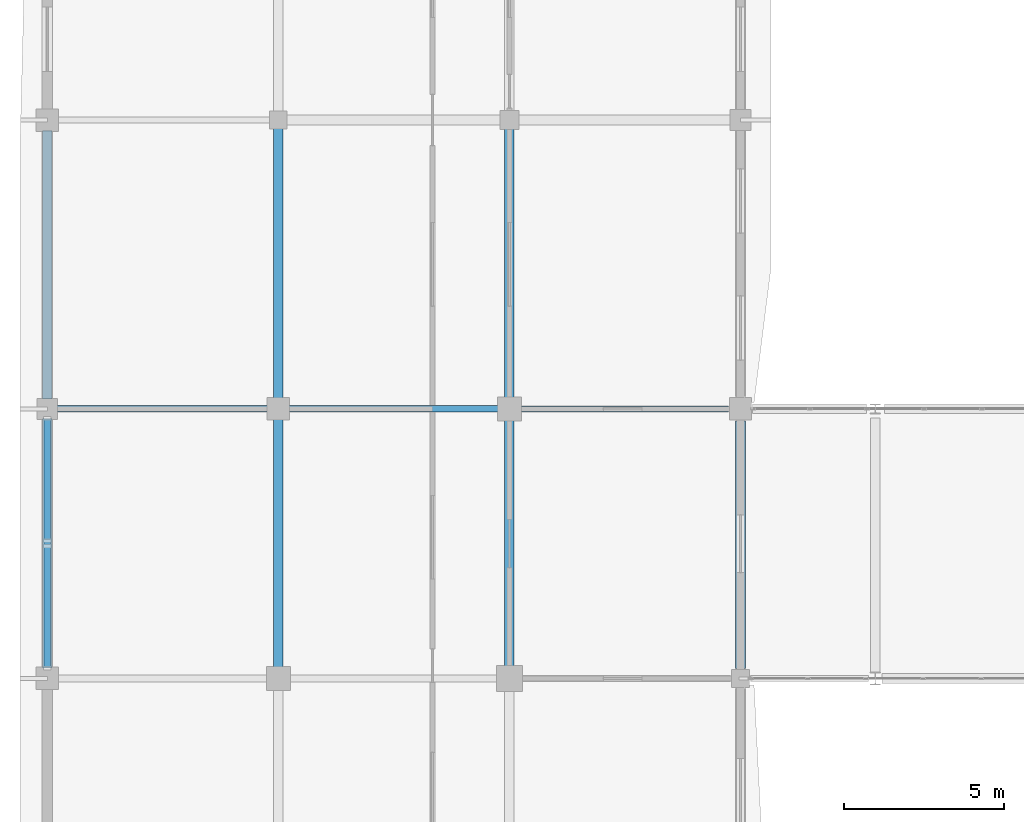
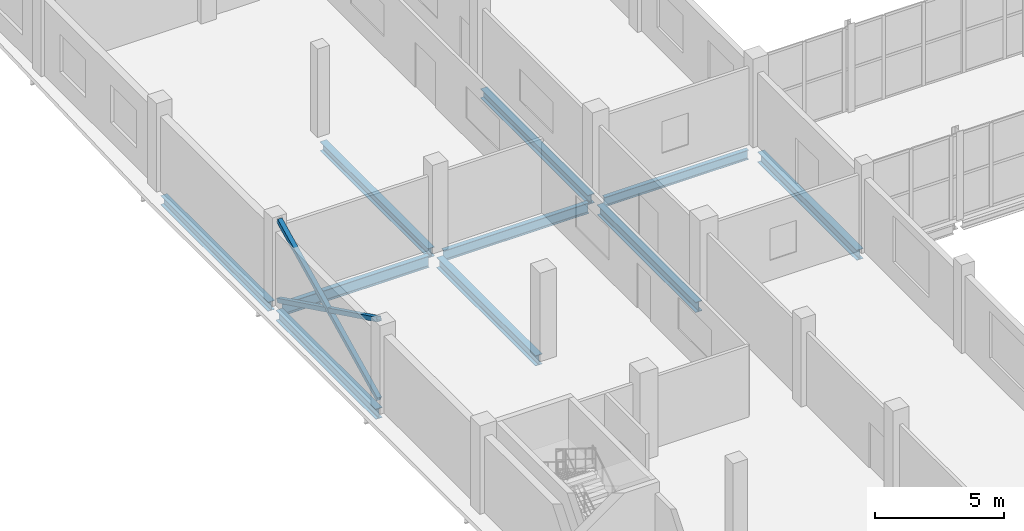
# One storey, part 58 of 121: 10 beams, 3 members.
"""IFC4 building model written with IfcOpenShell, lengths in metres."""

from ifc_helpers import new_model, si_unit, direction, frame, origin, origin_2d, place, context, subcontext, project, spatial, hollow_rectangle, i_section, extrude, material, material_profile, profile_set, type_object, element, save


model = new_model("IFC4")

# Units and contexts
model_context = context("Model", 3, precision=1e-05, world=origin(), true_north=direction((0.0, 1.0)))
body_context = subcontext(model_context, "Body", "Model", "MODEL_VIEW")
ifc_project = project(units=[si_unit("LENGTHUNIT", "METRE"), si_unit("AREAUNIT", "SQUARE_METRE"), si_unit("VOLUMEUNIT", "CUBIC_METRE"), si_unit("PLANEANGLEUNIT", "RADIAN"), si_unit("MASSUNIT", "GRAM", prefix="KILO")], contexts=[model_context])

# Site, building, storey
site_placement = place(None, origin())
site = spatial("IfcSite", under=ifc_project, at=site_placement, CompositionType="ELEMENT")
building_placement = place(site_placement, origin())
building = spatial("IfcBuilding", under=site, at=building_placement, Name="Vinh Khe Railworks Police Headquarters", CompositionType="ELEMENT")
storey_placement = place(building_placement, frame((0.0, 0.0, 4.800048828125)))
storey = spatial("IfcBuildingStorey", under=building, at=storey_placement, Name="L01", CompositionType="ELEMENT", Elevation=4.800048828125)

# Members
ifc_material = material(Name="Steel S355JR", Category="steel")
ifc_material_profile_1 = material_profile(ifc_material, hollow_rectangle(XDim=0.199951171875, YDim=0.199951171875, WallThickness=0.010009765625, at=origin_2d()), Name="SHS 200x200x10")
ifc_profile_set_1 = profile_set([ifc_material_profile_1], Name="Steel S355JR")
member_type = type_object("IfcMemberType", Name="Concentric Brace SHS 200x200x10", PredefinedType="BRACE", material=ifc_profile_set_1)
member_placement = place(storey_placement, frame((0.60009765625, 96.330078125, 0.199951171875), z_axis=(0.0, 0.898207232509, 0.439572255117), x_axis=(-1.0, 0.0, 0.0)))
element("IfcMember", 1, at=member_placement, inside=storey, type_object=member_type, Name="Continuous Concentric Brace MEM-BR-L01-BR-02-028", PredefinedType="BRACE", context=body_context, shape_type="SweptSolid", body=[
    extrude(hollow_rectangle(XDim=0.199951171875, YDim=0.199951171875, WallThickness=0.010009765625, at=origin_2d()), origin(), (0.0, 0.0, 1.0), 8.644775390625),
])
for number, where, z_axis, x_axis, name in (
    (2, (0.60009765625, 96.330078125, 4.0), (0.0, 0.898214291215, -0.4395578313), (-1.0, 0.0, 0.0), "Split X-Brace Segment MEM-BR-L01-BR-02-029 (2A)"),
    (3, (0.60009765625, 100.305908203125, 2.05419921875), (0.0, 0.898214291215, -0.4395578313), (-1.0, 0.0, 0.0), "Split X-Brace Segment MEM-BR-L01-BR-02-030 (2B)"),
):
    element("IfcMember", number, at=place(storey_placement, frame(where, z_axis=z_axis, x_axis=x_axis)), inside=storey, type_object=member_type, Name=name, PredefinedType="BRACE", context=body_context, shape_type="SweptSolid", body=[
        extrude(hollow_rectangle(XDim=0.199951171875, YDim=0.199951171875, WallThickness=0.010009765625, at=origin_2d()), origin(), (0.0, 0.0, 1.0), 4.218505859375),
    ])

# Beams
ifc_material_profile_2 = material_profile(ifc_material, i_section(OverallWidth=0.300048828125, OverallDepth=0.43994140625, WebThickness=0.011474609375, FlangeThickness=0.02099609375, FilletRadius=0.027099609375, at=origin_2d()), Name="HEA 450")
ifc_profile_set_2 = profile_set([ifc_material_profile_2], Name="Steel S355JR")
beam_type_1 = type_object("IfcBeamType", Name="Steel Girder HEA 450", PredefinedType="BEAM", material=ifc_profile_set_2)
beam_1_placement = place(storey_placement, frame((0.60009765625, 104.705078125, -0.4599609375), z_axis=(0.0, 1.0, 0.0), x_axis=(-1.0, 0.0, 0.0)))
element("IfcBeam", 4, at=beam_1_placement, inside=storey, type_object=beam_type_1, Name="Girder BM-L01-NS-SB-13-0574", PredefinedType="BEAM", context=body_context, shape_type="SweptSolid", body=[
    extrude(i_section(OverallWidth=0.300048828125, OverallDepth=0.43994140625, WebThickness=0.011474609375, FlangeThickness=0.02099609375, FilletRadius=0.027099609375, at=origin_2d()), origin(), (0.0, 0.0, 1.0), 8.364990234375),
])
beam_2_placement = place(storey_placement, frame((7.800048828125, 104.72998046875, -0.4599609375), z_axis=(0.0, 1.0, 0.0), x_axis=(-1.0, 0.0, 0.0)))
element("IfcBeam", 5, at=beam_2_placement, inside=storey, type_object=beam_type_1, Name="Girder BM-L01-NS-SB-13-0592", PredefinedType="BEAM", context=body_context, shape_type="SweptSolid", body=[
    extrude(i_section(OverallWidth=0.300048828125, OverallDepth=0.43994140625, WebThickness=0.011474609375, FlangeThickness=0.02099609375, FilletRadius=0.027099609375, at=origin_2d()), origin(), (0.0, 0.0, 1.0), 8.4150390625),
])
beam_3_placement = place(storey_placement, frame((15.0, 104.7548828125, -0.4599609375), z_axis=(0.0, 1.0, 0.0), x_axis=(-1.0, 0.0, 0.0)))
element("IfcBeam", 6, at=beam_3_placement, inside=storey, type_object=beam_type_1, Name="Girder BM-L01-NS-SB-13-0610", PredefinedType="BEAM", context=body_context, shape_type="SweptSolid", body=[
    extrude(i_section(OverallWidth=0.300048828125, OverallDepth=0.43994140625, WebThickness=0.011474609375, FlangeThickness=0.02099609375, FilletRadius=0.027099609375, at=origin_2d()), origin(), (0.0, 0.0, 1.0), 8.365234375),
])
ifc_material_profile_3 = material_profile(ifc_material, i_section(OverallWidth=0.300048828125, OverallDepth=0.489990234375, WebThickness=0.011962890625, FlangeThickness=0.02294921875, FilletRadius=0.027099609375, at=origin_2d()), Name="HEA 500")
ifc_profile_set_3 = profile_set([ifc_material_profile_3], Name="Steel S355JR")
beam_type_2 = type_object("IfcBeamType", Name="Steel Girder HEA 500", PredefinedType="BEAM", material=ifc_profile_set_3)
beam_4_placement = place(storey_placement, frame((0.60009765625, 96.330078125, -0.485107421875), z_axis=(0.0, 1.0, 0.0), x_axis=(-1.0, 0.0, 0.0)))
element("IfcBeam", 7, at=beam_4_placement, inside=storey, type_object=beam_type_2, Name="Girder BM-L01-NS-SB-12-0573", PredefinedType="BEAM", context=body_context, shape_type="SweptSolid", body=[
    extrude(i_section(OverallWidth=0.300048828125, OverallDepth=0.489990234375, WebThickness=0.011962890625, FlangeThickness=0.02294921875, FilletRadius=0.027099609375, at=origin_2d()), origin(), (0.0, 0.0, 1.0), 7.764892578125),
])
beam_5_placement = place(storey_placement, frame((7.800048828125, 96.35498046875, -0.485107421875), z_axis=(0.0, 1.0, 0.0), x_axis=(-1.0, 0.0, 0.0)))
element("IfcBeam", 8, at=beam_5_placement, inside=storey, type_object=beam_type_2, Name="Girder BM-L01-NS-SB-12-0591", PredefinedType="BEAM", context=body_context, shape_type="SweptSolid", body=[
    extrude(i_section(OverallWidth=0.300048828125, OverallDepth=0.489990234375, WebThickness=0.011962890625, FlangeThickness=0.02294921875, FilletRadius=0.027099609375, at=origin_2d()), origin(), (0.0, 0.0, 1.0), 7.715087890625),
])
beam_6_placement = place(storey_placement, frame((15.0, 96.3798828125, -0.485107421875), z_axis=(0.0, 1.0, 0.0), x_axis=(-1.0, 0.0, 0.0)))
element("IfcBeam", 9, at=beam_6_placement, inside=storey, type_object=beam_type_2, Name="Girder BM-L01-NS-SB-12-0609", PredefinedType="BEAM", context=body_context, shape_type="SweptSolid", body=[
    extrude(i_section(OverallWidth=0.300048828125, OverallDepth=0.489990234375, WebThickness=0.011962890625, FlangeThickness=0.02294921875, FilletRadius=0.027099609375, at=origin_2d()), origin(), (0.0, 0.0, 1.0), 7.6650390625),
])
beam_7_placement = place(storey_placement, frame((22.199951171875, 96.304931640625, -0.485107421875), z_axis=(0.0, 1.0, 0.0), x_axis=(-1.0, 0.0, 0.0)))
element("IfcBeam", 10, at=beam_7_placement, inside=storey, type_object=beam_type_2, Name="Girder BM-L01-NS-SB-12-0627", PredefinedType="BEAM", context=body_context, shape_type="SweptSolid", body=[
    extrude(i_section(OverallWidth=0.300048828125, OverallDepth=0.489990234375, WebThickness=0.011962890625, FlangeThickness=0.02294921875, FilletRadius=0.027099609375, at=origin_2d()), origin(), (0.0, 0.0, 1.0), 7.715087890625),
])
ifc_material_profile_4 = material_profile(ifc_material, i_section(OverallWidth=0.18994140625, OverallDepth=0.449951171875, WebThickness=0.009521484375, FlangeThickness=0.0146484375, FilletRadius=0.02099609375, at=origin_2d()), Name="IPE 450")
ifc_profile_set_4 = profile_set([ifc_material_profile_4], Name="Steel S355JR")
beam_type_3 = type_object("IfcBeamType", Name="Steel Girder IPE 450", PredefinedType="BEAM", material=ifc_profile_set_4)
beam_8_placement = place(storey_placement, frame((15.35498046875, 104.39990234375, -0.465087890625), z_axis=(1.0, 0.0, 0.0), x_axis=(0.0, 1.0, 0.0)))
element("IfcBeam", 11, at=beam_8_placement, inside=storey, type_object=beam_type_3, Name="Girder BM-L01-EW-SB-20-0492", PredefinedType="BEAM", context=body_context, shape_type="SweptSolid", body=[
    extrude(i_section(OverallWidth=0.18994140625, OverallDepth=0.449951171875, WebThickness=0.009521484375, FlangeThickness=0.0146484375, FilletRadius=0.02099609375, at=origin_2d()), origin(), (0.0, 0.0, 1.0), 6.465087890625),
])
ifc_material_profile_5 = material_profile(ifc_material, i_section(OverallWidth=0.199951171875, OverallDepth=0.5, WebThickness=0.01025390625, FlangeThickness=0.01611328125, FilletRadius=0.02099609375, at=origin_2d()), Name="IPE 500")
ifc_profile_set_5 = profile_set([ifc_material_profile_5], Name="Steel S355JR")
beam_type_4 = type_object("IfcBeamType", Name="Steel Girder IPE 500", PredefinedType="BEAM", material=ifc_profile_set_5)
beam_9_placement = place(storey_placement, frame((8.1298828125, 104.39990234375, -0.489990234375), z_axis=(1.0, 0.0, 0.0), x_axis=(0.0, 1.0, 0.0)))
element("IfcBeam", 12, at=beam_9_placement, inside=storey, type_object=beam_type_4, Name="Girder BM-L01-EW-SB-19-0491", PredefinedType="BEAM", context=body_context, shape_type="SweptSolid", body=[
    extrude(i_section(OverallWidth=0.199951171875, OverallDepth=0.5, WebThickness=0.01025390625, FlangeThickness=0.01611328125, FilletRadius=0.02099609375, at=origin_2d()), origin(), (0.0, 0.0, 1.0), 6.51513671875),
])
ifc_material_profile_6 = material_profile(ifc_material, i_section(OverallWidth=0.2099609375, OverallDepth=0.550048828125, WebThickness=0.010986328125, FlangeThickness=0.01708984375, FilletRadius=0.02392578125, at=origin_2d()), Name="IPE 550")
ifc_profile_set_6 = profile_set([ifc_material_profile_6], Name="Steel S355JR")
beam_type_5 = type_object("IfcBeamType", Name="Steel Girder IPE 550", PredefinedType="BEAM", material=ifc_profile_set_6)
beam_10_placement = place(storey_placement, frame((0.905029296875, 104.39990234375, -0.51513671875), z_axis=(1.0, 0.0, 0.0), x_axis=(0.0, 1.0, 0.0)))
element("IfcBeam", 13, at=beam_10_placement, inside=storey, type_object=beam_type_5, Name="Girder BM-L01-EW-SB-18-0490", PredefinedType="BEAM", context=body_context, shape_type="SweptSolid", body=[
    extrude(i_section(OverallWidth=0.2099609375, OverallDepth=0.550048828125, WebThickness=0.010986328125, FlangeThickness=0.01708984375, FilletRadius=0.02392578125, at=origin_2d()), origin(), (0.0, 0.0, 1.0), 6.56494140625),
])

save(model, "model.ifc")
